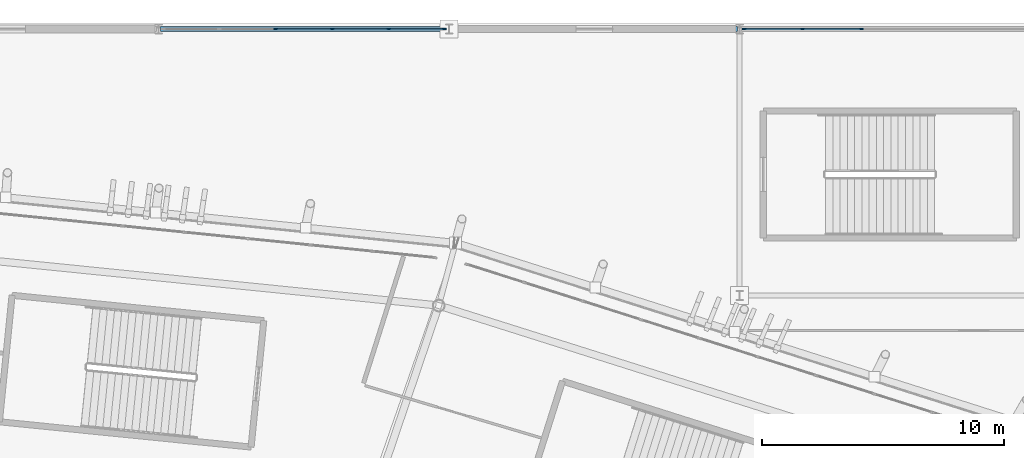
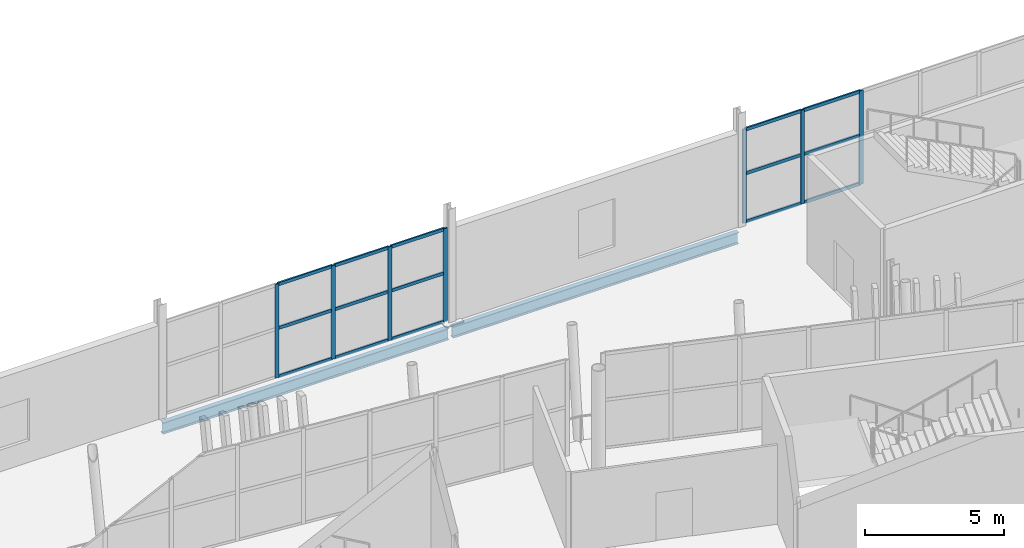
# One storey, part 88 of 179: 22 members, 2 beams, 2 elements without a shape of their own.
"""IFC4 building model written with IfcOpenShell, lengths in metres."""

import ifcopenshell
import ifcopenshell.guid

model = None  # the IFC model being written
_history = None  # IfcOwnerHistory: only IFC2X3 demands one
_inside = {}  # id of a spatial element -> (the spatial element, [elements in it])
_under = {}  # id of a project, library or spatial element -> (it, [spatial elements below it])
_declared = {}  # id of a project -> (the project, [libraries it declares])
_typed = {}  # id of a type object -> (the type object, [elements of that type])
_made_of = {}  # id of a material, layer set ... -> (it, [elements and type objects made of it])


def new_model(schema):
    """Start an empty IFC model of exactly this schema.

    Asked for "IFC4X3", IfcOpenShell would pick the latest addendum, in which some entities
    have other attributes; the version numbers below select the first issue.
    IFC2X3 requires an IfcOwnerHistory on every rooted entity: one is made here for all.
    """
    global model, _history
    if schema == "IFC4X3":
        model = ifcopenshell.file(schema_version=(4, 3, 0, 0))
    else:
        model = ifcopenshell.file(schema=schema)
    _inside.clear()
    _under.clear()
    _declared.clear()
    _typed.clear()
    _made_of.clear()
    _history = None
    if model.schema == "IFC2X3":
        org = make("IfcOrganization", Name="unknown")
        user = make(
            "IfcPersonAndOrganization",
            ThePerson=make("IfcPerson", FamilyName="unknown"),
            TheOrganization=org,
        )
        app = make(
            "IfcApplication",
            ApplicationDeveloper=org,
            Version="unknown",
            ApplicationFullName="unknown",
            ApplicationIdentifier="unknown",
        )
        _history = make(
            "IfcOwnerHistory",
            OwningUser=user,
            OwningApplication=app,
            ChangeAction="ADDED",
            CreationDate=0,
        )
    return model


def make(cls, **values):
    """One entity of the class cls with the attributes given. An attribute that is None is left unset."""
    return model.create_entity(
        cls, **{name: value for name, value in values.items() if value is not None}
    )


def rooted(cls, **values):
    """An entity with a GlobalId (a new one), such as an element, a storey or a relation."""
    return make(cls, GlobalId=ifcopenshell.guid.new(), OwnerHistory=_history, **values)


def si_unit(unit_type, name, prefix=None):
    """IfcSIUnit, for example si_unit("LENGTHUNIT", "METRE", prefix="MILLI")."""
    return make("IfcSIUnit", UnitType=unit_type, Prefix=prefix, Name=name)


def assignment(units):
    """IfcUnitAssignment: the units of a project."""
    return None if units is None else make("IfcUnitAssignment", Units=units)


def point(xyz):
    """IfcCartesianPoint."""
    return None if xyz is None else make("IfcCartesianPoint", Coordinates=xyz)


def direction(xyz):
    """IfcDirection."""
    return None if xyz is None else make("IfcDirection", DirectionRatios=xyz)


def frame(location, z_axis=None, x_axis=None):
    """IfcAxis2Placement3D, a coordinate frame: its origin and axes. An axis left out is left unset."""
    return make(
        "IfcAxis2Placement3D",
        Location=point(location),
        Axis=direction(z_axis),
        RefDirection=direction(x_axis),
    )


def frame_2d(location, x_axis=None):
    """IfcAxis2Placement2D, a coordinate frame in the plane: its origin and x axis."""
    return make(
        "IfcAxis2Placement2D", Location=point(location), RefDirection=direction(x_axis)
    )


def origin():
    """The frame at (0, 0, 0) with its axes left unset."""
    return frame((0.0, 0.0, 0.0))


def origin_2d():
    """The frame at (0, 0) in the plane with its x axis left unset."""
    return frame_2d((0.0, 0.0))


def place(relative_to, where):
    """IfcLocalPlacement: puts the frame where relative to a parent placement (None: the world)."""
    return make(
        "IfcLocalPlacement", PlacementRelTo=relative_to, RelativePlacement=where
    )


def context(
    kind, dimensions, precision=None, world=None, true_north=None, identifier=None
):
    """IfcGeometricRepresentationContext, for example the 3D "Model" context."""
    return make(
        "IfcGeometricRepresentationContext",
        ContextIdentifier=identifier,
        ContextType=kind,
        CoordinateSpaceDimension=dimensions,
        Precision=precision,
        WorldCoordinateSystem=world,
        TrueNorth=true_north,
    )


def subcontext(parent, identifier, kind, view, scale=None):
    """IfcGeometricRepresentationSubContext, for example "Body" below "Model"."""
    return make(
        "IfcGeometricRepresentationSubContext",
        ContextIdentifier=identifier,
        ContextType=kind,
        ParentContext=parent,
        TargetScale=scale,
        TargetView=view,
    )


def project(units=None, contexts=None):
    """IfcProject with its units and contexts."""
    return rooted(
        "IfcProject",
        Name="project",
        RepresentationContexts=contexts,
        UnitsInContext=assignment(units),
    )


def spatial(cls, under=None, at=None, **own):
    """A site, building, storey or space (cls), placed at a placement, below another one or the project."""
    s = rooted(cls, ObjectPlacement=at, **own)
    if under is not None:
        _under.setdefault(under.id(), (under, []))[1].append(s)
    return s


def profile(cls, at=None, kind="AREA", **sizes):
    """A parametric profile (cls). Its sizes go by their IFC names, for example OverallWidth=200.0."""
    return make(cls, ProfileType=kind, Position=at, **sizes)


def rectangle(**sizes):
    """IfcRectangleProfileDef."""
    return profile("IfcRectangleProfileDef", **sizes)


def i_section(**sizes):
    """IfcIShapeProfileDef."""
    return profile("IfcIShapeProfileDef", **sizes)


def extrude(swept, where, along, depth):
    """IfcExtrudedAreaSolid: the profile swept, set in the frame where, extruded along a direction by depth."""
    return make(
        "IfcExtrudedAreaSolid",
        SweptArea=swept,
        Position=where,
        ExtrudedDirection=direction(along),
        Depth=depth,
    )


def shape(context_of_items, identifier, shape_type, items):
    """IfcShapeRepresentation: the items that make up one representation, for example the "Body"."""
    return make(
        "IfcShapeRepresentation",
        ContextOfItems=context_of_items,
        RepresentationIdentifier=identifier,
        RepresentationType=shape_type,
        Items=items,
    )


def material(Name=None, Category=None):
    """IfcMaterial."""
    return make("IfcMaterial", Name=Name, Category=Category)


def material_profile(
    of_material, cross_section, Name=None, Category=None, Priority=None
):
    """IfcMaterialProfile: a cross section and its material."""
    return make(
        "IfcMaterialProfile",
        Name=Name,
        Material=of_material,
        Profile=cross_section,
        Priority=Priority,
        Category=Category,
    )


def profile_set(profiles, Name=None, composite=None):
    """IfcMaterialProfileSet."""
    return make(
        "IfcMaterialProfileSet",
        Name=Name,
        MaterialProfiles=profiles,
        CompositeProfile=composite,
    )


def made_of(thing, what):
    """Note that an element or type object is made of a material, layer set ...; save() writes the relation."""
    if what is not None:
        _made_of.setdefault(what.id(), (what, []))[1].append(thing)
    return thing


def type_object(cls, material=None, **own):
    """A type object (cls), such as IfcWallType, which elements share."""
    return made_of(rooted(cls, **own), material)


def element(
    cls,
    number,
    at=None,
    inside=None,
    cuts=None,
    type_object=None,
    material=None,
    context=None,
    identifier="Body",
    shape_type=None,
    held_by="IfcProductDefinitionShape",
    body=None,
    shapes=None,
    **own,
):
    """One element of the class cls, such as IfcWall. Its Tag is "e" and its number.

    at: its placement. inside: the storey or other place that contains it. cuts: it is an
    opening in that element (IfcRelVoidsElement). A single representation is given by context,
    identifier, shape_type and body (its items); several are given by shapes. held_by: the class
    of the entity that holds the representations. save() writes the other relations.
    """
    e = rooted(cls, Tag="e%d" % number, ObjectPlacement=at, **own)
    if body is not None:
        shapes = [shape(context, identifier, shape_type, body)]
    if shapes is not None:
        e.Representation = make(held_by, Representations=shapes)
    if inside is not None:
        _inside.setdefault(inside.id(), (inside, []))[1].append(e)
    if cuts is not None:
        rooted(
            "IfcRelVoidsElement", RelatingBuildingElement=cuts, RelatedOpeningElement=e
        )
    if type_object is not None:
        _typed.setdefault(type_object.id(), (type_object, []))[1].append(e)
    return made_of(e, material)


def aggregate(whole, parts):
    """IfcRelAggregates: a whole, such as a stair, and the parts it consists of."""
    return rooted("IfcRelAggregates", RelatingObject=whole, RelatedObjects=parts)


def save(model, path):
    """Write the relations noted so far, then the file.

    IfcRelAggregates (storeys below a building ...), IfcRelContainedInSpatialStructure (elements
    in a storey), IfcRelDefinesByType, IfcRelAssociatesMaterial and IfcRelDeclares: one each for
    every whole, place, type object, material and project.
    """
    for whole, parts in _under.values():
        aggregate(whole, parts)
    for where, things in _inside.values():
        rooted(
            "IfcRelContainedInSpatialStructure",
            RelatedElements=things,
            RelatingStructure=where,
        )
    for kind, things in _typed.values():
        rooted("IfcRelDefinesByType", RelatedObjects=things, RelatingType=kind)
    for what, things in _made_of.values():
        rooted("IfcRelAssociatesMaterial", RelatedObjects=things, RelatingMaterial=what)
    for by, libraries in _declared.values():
        rooted("IfcRelDeclares", RelatingContext=by, RelatedDefinitions=libraries)
    model.write(path)


model = new_model("IFC4")

# Units and contexts
model_context = context("Model", 3, precision=1e-05, world=origin(), true_north=direction((0.0, 1.0)))
body_context = subcontext(model_context, "Body", "Model", "MODEL_VIEW")
ifc_project = project(units=[si_unit("LENGTHUNIT", "METRE"), si_unit("AREAUNIT", "SQUARE_METRE"), si_unit("VOLUMEUNIT", "CUBIC_METRE"), si_unit("PLANEANGLEUNIT", "RADIAN"), si_unit("MASSUNIT", "GRAM", prefix="KILO")], contexts=[model_context])

# Site, building, storey
site_placement = place(None, origin())
site = spatial("IfcSite", under=ifc_project, at=site_placement, CompositionType="ELEMENT")
building_placement = place(site_placement, origin())
building = spatial("IfcBuilding", under=site, at=building_placement, Name="Zlatoyarsky Gate Stadium", CompositionType="ELEMENT")
storey_placement = place(building_placement, frame((0.0, 0.0, 10.60009765625)))
storey = spatial("IfcBuildingStorey", under=building, at=storey_placement, Name="L02", CompositionType="ELEMENT", Elevation=10.60009765625)

# Curtain wall, members
ifc_material_1 = material(Name="Thermally broken anodised aluminium curtain wall", Category="aluminium")
curtain_wall_type = type_object("IfcCurtainWallType", Name="WINTER GARDEN CONSERVATORY GLAZING", PredefinedType="USERDEFINED", material=ifc_material_1)
curtain_wall_1_placement = place(storey_placement, origin())
curtain_wall_1 = element("IfcCurtainWall", 1, at=curtain_wall_1_placement, inside=storey, type_object=curtain_wall_type, Name="Curtain wall CW-V2_NORTH-L02-151", ObjectType="UNITISED GLAZING", PredefinedType="USERDEFINED")
ifc_material_2 = material(Name="Anodised aluminium 6063-T6", Category="aluminium")
ifc_material_profile_1 = material_profile(ifc_material_2, rectangle(XDim=0.06494140625, YDim=0.159912109375, at=origin_2d()), Name="ALU 65X160")
ifc_profile_set_1 = profile_set([ifc_material_profile_1], Name="Anodised aluminium 6063-T6")
member_type_1 = type_object("IfcMemberType", Name="ALUMINIUM MULLION 65X160", PredefinedType="MULLION", material=ifc_profile_set_1)
member_1_placement = place(storey_placement, frame((128.33251953125, 160.0, 0.0), z_axis=(0.0, 0.0, 1.0), x_axis=(0.0, 1.0, 0.0)))
member_1 = element("IfcMember", 2, at=member_1_placement, type_object=member_type_1, Name="CW-WG1 mullion 3", PredefinedType="MULLION", context=body_context, shape_type="SweptSolid", body=[
    extrude(rectangle(XDim=0.06494140625, YDim=0.159912109375, at=origin_2d()), origin(), (0.0, 0.0, 1.0), 4.099853515625),
])
member_2_placement = place(storey_placement, frame((130.66748046875, 160.0, 0.0), z_axis=(0.0, 0.0, 1.0), x_axis=(0.0, 1.0, 0.0)))
member_2 = element("IfcMember", 3, at=member_2_placement, type_object=member_type_1, Name="CW-WG1 mullion 4", PredefinedType="MULLION", context=body_context, shape_type="SweptSolid", body=[
    extrude(rectangle(XDim=0.06494140625, YDim=0.159912109375, at=origin_2d()), origin(), (0.0, 0.0, 1.0), 4.099853515625),
])
member_3_placement = place(storey_placement, frame((133.002685546875, 160.0, 0.0), z_axis=(0.0, 0.0, 1.0), x_axis=(0.0, 1.0, 0.0)))
member_3 = element("IfcMember", 4, at=member_3_placement, type_object=member_type_1, Name="CW-WG1 mullion 5", PredefinedType="MULLION", context=body_context, shape_type="SweptSolid", body=[
    extrude(rectangle(XDim=0.06494140625, YDim=0.159912109375, at=origin_2d()), origin(), (0.0, 0.0, 1.0), 4.099853515625),
])
member_4_placement = place(storey_placement, frame((135.305419921875, 160.0, 0.0), z_axis=(0.0, 0.0, 1.0), x_axis=(0.0, 1.0, 0.0)))
member_4 = element("IfcMember", 5, at=member_4_placement, type_object=member_type_1, Name="CW-WG1 mullion 6", PredefinedType="MULLION", context=body_context, shape_type="SweptSolid", body=[
    extrude(rectangle(XDim=0.06494140625, YDim=0.159912109375, at=origin_2d()), origin(), (0.0, 0.0, 1.0), 4.099853515625),
])

curtain_wall_2_placement = place(storey_placement, origin())
curtain_wall_2 = element("IfcCurtainWall", 6, at=curtain_wall_2_placement, inside=storey, type_object=curtain_wall_type, Name="Curtain wall CW-V2_NORTH-L02-152", ObjectType="UNITISED GLAZING", PredefinedType="USERDEFINED")
member_5_placement = place(storey_placement, frame((147.694580078125, 160.0, 0.0), z_axis=(0.0, 0.0, 1.0), x_axis=(0.0, 1.0, 0.0)))
member_5 = element("IfcMember", 7, at=member_5_placement, type_object=member_type_1, Name="CW-WG1 mullion 1", PredefinedType="MULLION", context=body_context, shape_type="SweptSolid", body=[
    extrude(rectangle(XDim=0.06494140625, YDim=0.159912109375, at=origin_2d()), origin(), (0.0, 0.0, 1.0), 4.099853515625),
])
member_6_placement = place(storey_placement, frame((150.09716796875, 160.0, 0.0), z_axis=(0.0, 0.0, 1.0), x_axis=(0.0, 1.0, 0.0)))
member_6 = element("IfcMember", 8, at=member_6_placement, type_object=member_type_1, Name="CW-WG1 mullion 2", PredefinedType="MULLION", context=body_context, shape_type="SweptSolid", body=[
    extrude(rectangle(XDim=0.06494140625, YDim=0.159912109375, at=origin_2d()), origin(), (0.0, 0.0, 1.0), 4.099853515625),
])
member_7_placement = place(storey_placement, frame((152.532470703125, 160.0, 0.0), z_axis=(0.0, 0.0, 1.0), x_axis=(0.0, 1.0, 0.0)))
member_7 = element("IfcMember", 9, at=member_7_placement, type_object=member_type_1, Name="CW-WG1 mullion 3", PredefinedType="MULLION", context=body_context, shape_type="SweptSolid", body=[
    extrude(rectangle(XDim=0.06494140625, YDim=0.159912109375, at=origin_2d()), origin(), (0.0, 0.0, 1.0), 4.099853515625),
])

# Member
ifc_material_profile_2 = material_profile(ifc_material_2, rectangle(XDim=0.06494140625, YDim=0.139892578125, at=origin_2d()), Name="ALU 65X140")
ifc_profile_set_2 = profile_set([ifc_material_profile_2], Name="Anodised aluminium 6063-T6")
member_type_2 = type_object("IfcMemberType", Name="ALUMINIUM TRANSOM 65X140", PredefinedType="USERDEFINED", material=ifc_profile_set_2)
member_8_placement = place(storey_placement, frame((128.364990234375, 160.0, 0.032470703125), z_axis=(1.0, 0.0, 0.0), x_axis=(0.0, 1.0, 0.0)))
member_8 = element("IfcMember", 10, at=member_8_placement, type_object=member_type_2, Name="CW-WG1 transom 3.1", ObjectType="TRANSOM", PredefinedType="USERDEFINED", context=body_context, shape_type="SweptSolid", body=[
    extrude(rectangle(XDim=0.06494140625, YDim=0.139892578125, at=origin_2d()), origin(), (0.0, 0.0, 1.0), 2.27001953125),
])

member_9_placement = place(storey_placement, frame((128.364990234375, 160.0, 2.14990234375), z_axis=(1.0, 0.0, 0.0), x_axis=(0.0, 1.0, 0.0)))
member_9 = element("IfcMember", 11, at=member_9_placement, type_object=member_type_2, Name="CW-WG1 transom 3.2", ObjectType="TRANSOM", PredefinedType="USERDEFINED", context=body_context, shape_type="SweptSolid", body=[
    extrude(rectangle(XDim=0.06494140625, YDim=0.139892578125, at=origin_2d()), origin(), (0.0, 0.0, 1.0), 2.27001953125),
])

member_10_placement = place(storey_placement, frame((128.364990234375, 160.0, 4.0673828125), z_axis=(1.0, 0.0, 0.0), x_axis=(0.0, 1.0, 0.0)))
member_10 = element("IfcMember", 12, at=member_10_placement, type_object=member_type_2, Name="CW-WG1 transom 3.3", ObjectType="TRANSOM", PredefinedType="USERDEFINED", context=body_context, shape_type="SweptSolid", body=[
    extrude(rectangle(XDim=0.06494140625, YDim=0.139892578125, at=origin_2d()), origin(), (0.0, 0.0, 1.0), 2.27001953125),
])

member_11_placement = place(storey_placement, frame((130.7001953125, 160.0, 0.032470703125), z_axis=(1.0, 0.0, 0.0), x_axis=(0.0, 1.0, 0.0)))
member_11 = element("IfcMember", 13, at=member_11_placement, type_object=member_type_2, Name="CW-WG1 transom 4.1", ObjectType="TRANSOM", PredefinedType="USERDEFINED", context=body_context, shape_type="SweptSolid", body=[
    extrude(rectangle(XDim=0.06494140625, YDim=0.139892578125, at=origin_2d()), origin(), (0.0, 0.0, 1.0), 2.27001953125),
])

member_12_placement = place(storey_placement, frame((130.7001953125, 160.0, 2.14990234375), z_axis=(1.0, 0.0, 0.0), x_axis=(0.0, 1.0, 0.0)))
member_12 = element("IfcMember", 14, at=member_12_placement, type_object=member_type_2, Name="CW-WG1 transom 4.2", ObjectType="TRANSOM", PredefinedType="USERDEFINED", context=body_context, shape_type="SweptSolid", body=[
    extrude(rectangle(XDim=0.06494140625, YDim=0.139892578125, at=origin_2d()), origin(), (0.0, 0.0, 1.0), 2.27001953125),
])

member_13_placement = place(storey_placement, frame((130.7001953125, 160.0, 4.0673828125), z_axis=(1.0, 0.0, 0.0), x_axis=(0.0, 1.0, 0.0)))
member_13 = element("IfcMember", 15, at=member_13_placement, type_object=member_type_2, Name="CW-WG1 transom 4.3", ObjectType="TRANSOM", PredefinedType="USERDEFINED", context=body_context, shape_type="SweptSolid", body=[
    extrude(rectangle(XDim=0.06494140625, YDim=0.139892578125, at=origin_2d()), origin(), (0.0, 0.0, 1.0), 2.27001953125),
])

member_14_placement = place(storey_placement, frame((133.035400390625, 160.0, 0.032470703125), z_axis=(1.0, 0.0, 0.0), x_axis=(0.0, 1.0, 0.0)))
member_14 = element("IfcMember", 16, at=member_14_placement, type_object=member_type_2, Name="CW-WG1 transom 5.1", ObjectType="TRANSOM", PredefinedType="USERDEFINED", context=body_context, shape_type="SweptSolid", body=[
    extrude(rectangle(XDim=0.06494140625, YDim=0.139892578125, at=origin_2d()), origin(), (0.0, 0.0, 1.0), 2.237548828125),
])

member_15_placement = place(storey_placement, frame((133.035400390625, 160.0, 2.14990234375), z_axis=(1.0, 0.0, 0.0), x_axis=(0.0, 1.0, 0.0)))
member_15 = element("IfcMember", 17, at=member_15_placement, type_object=member_type_2, Name="CW-WG1 transom 5.2", ObjectType="TRANSOM", PredefinedType="USERDEFINED", context=body_context, shape_type="SweptSolid", body=[
    extrude(rectangle(XDim=0.06494140625, YDim=0.139892578125, at=origin_2d()), origin(), (0.0, 0.0, 1.0), 2.237548828125),
])

member_16_placement = place(storey_placement, frame((133.035400390625, 160.0, 4.0673828125), z_axis=(1.0, 0.0, 0.0), x_axis=(0.0, 1.0, 0.0)))
member_16 = element("IfcMember", 18, at=member_16_placement, type_object=member_type_2, Name="CW-WG1 transom 5.3", ObjectType="TRANSOM", PredefinedType="USERDEFINED", context=body_context, shape_type="SweptSolid", body=[
    extrude(rectangle(XDim=0.06494140625, YDim=0.139892578125, at=origin_2d()), origin(), (0.0, 0.0, 1.0), 2.237548828125),
])

aggregate(curtain_wall_1, [member_1, member_2, member_3, member_4, member_8, member_9, member_10, member_11, member_12, member_13, member_14, member_15, member_16])

member_17_placement = place(storey_placement, frame((147.72705078125, 160.0, 0.032470703125), z_axis=(1.0, 0.0, 0.0), x_axis=(0.0, 1.0, 0.0)))
member_17 = element("IfcMember", 19, at=member_17_placement, type_object=member_type_2, Name="CW-WG1 transom 1.1", ObjectType="TRANSOM", PredefinedType="USERDEFINED", context=body_context, shape_type="SweptSolid", body=[
    extrude(rectangle(XDim=0.06494140625, YDim=0.139892578125, at=origin_2d()), origin(), (0.0, 0.0, 1.0), 2.337646484375),
])

member_18_placement = place(storey_placement, frame((147.72705078125, 160.0, 2.14990234375), z_axis=(1.0, 0.0, 0.0), x_axis=(0.0, 1.0, 0.0)))
member_18 = element("IfcMember", 20, at=member_18_placement, type_object=member_type_2, Name="CW-WG1 transom 1.2", ObjectType="TRANSOM", PredefinedType="USERDEFINED", context=body_context, shape_type="SweptSolid", body=[
    extrude(rectangle(XDim=0.06494140625, YDim=0.139892578125, at=origin_2d()), origin(), (0.0, 0.0, 1.0), 2.337646484375),
])

member_19_placement = place(storey_placement, frame((147.72705078125, 160.0, 4.0673828125), z_axis=(1.0, 0.0, 0.0), x_axis=(0.0, 1.0, 0.0)))
member_19 = element("IfcMember", 21, at=member_19_placement, type_object=member_type_2, Name="CW-WG1 transom 1.3", ObjectType="TRANSOM", PredefinedType="USERDEFINED", context=body_context, shape_type="SweptSolid", body=[
    extrude(rectangle(XDim=0.06494140625, YDim=0.139892578125, at=origin_2d()), origin(), (0.0, 0.0, 1.0), 2.337646484375),
])

member_20_placement = place(storey_placement, frame((150.129638671875, 160.0, 0.032470703125), z_axis=(1.0, 0.0, 0.0), x_axis=(0.0, 1.0, 0.0)))
member_20 = element("IfcMember", 22, at=member_20_placement, type_object=member_type_2, Name="CW-WG1 transom 2.1", ObjectType="TRANSOM", PredefinedType="USERDEFINED", context=body_context, shape_type="SweptSolid", body=[
    extrude(rectangle(XDim=0.06494140625, YDim=0.139892578125, at=origin_2d()), origin(), (0.0, 0.0, 1.0), 2.370361328125),
])

member_21_placement = place(storey_placement, frame((150.129638671875, 160.0, 2.14990234375), z_axis=(1.0, 0.0, 0.0), x_axis=(0.0, 1.0, 0.0)))
member_21 = element("IfcMember", 23, at=member_21_placement, type_object=member_type_2, Name="CW-WG1 transom 2.2", ObjectType="TRANSOM", PredefinedType="USERDEFINED", context=body_context, shape_type="SweptSolid", body=[
    extrude(rectangle(XDim=0.06494140625, YDim=0.139892578125, at=origin_2d()), origin(), (0.0, 0.0, 1.0), 2.370361328125),
])

member_22_placement = place(storey_placement, frame((150.129638671875, 160.0, 4.0673828125), z_axis=(1.0, 0.0, 0.0), x_axis=(0.0, 1.0, 0.0)))
member_22 = element("IfcMember", 24, at=member_22_placement, type_object=member_type_2, Name="CW-WG1 transom 2.3", ObjectType="TRANSOM", PredefinedType="USERDEFINED", context=body_context, shape_type="SweptSolid", body=[
    extrude(rectangle(XDim=0.06494140625, YDim=0.139892578125, at=origin_2d()), origin(), (0.0, 0.0, 1.0), 2.370361328125),
])

aggregate(curtain_wall_2, [member_5, member_6, member_7, member_17, member_18, member_19, member_20, member_21, member_22])

# Beams
ifc_material_3 = material(Name="Steel S355", Category="steel")
ifc_material_profile_3 = material_profile(ifc_material_3, i_section(OverallWidth=0.199951171875, OverallDepth=0.5, WebThickness=0.01025390625, FlangeThickness=0.01611328125, FilletRadius=0.02099609375, at=origin_2d()), Name="IPE 500")
ifc_profile_set_3 = profile_set([ifc_material_profile_3], Name="Steel S355")
beam_type = type_object("IfcBeamType", Name="STEEL FLOOR BEAM IPE 500", PredefinedType="BEAM", material=ifc_profile_set_3)
for number, where, z_axis, x_axis, name in (
    (25, (123.580078125, 160.0, -0.530029296875), (1.0, 0.0, 0.0), (0.0, 1.0, 0.0), "Beam B-IPE500 BM-L02-WGX-11-Q"),
    (26, (135.580078125, 160.0, -0.530029296875), (1.0, 0.0, 0.0), (0.0, 1.0, 0.0), "Beam B-IPE500 BM-L02-WGX-12-Q"),
):
    element("IfcBeam", number, at=place(storey_placement, frame(where, z_axis=z_axis, x_axis=x_axis)), inside=storey, type_object=beam_type, Name=name, PredefinedType="BEAM", context=body_context, shape_type="SweptSolid", body=[
        extrude(i_section(OverallWidth=0.199951171875, OverallDepth=0.5, WebThickness=0.01025390625, FlangeThickness=0.01611328125, FilletRadius=0.02099609375, at=origin_2d()), origin(), (0.0, 0.0, 1.0), 11.83984375),
    ])

save(model, "model.ifc")
